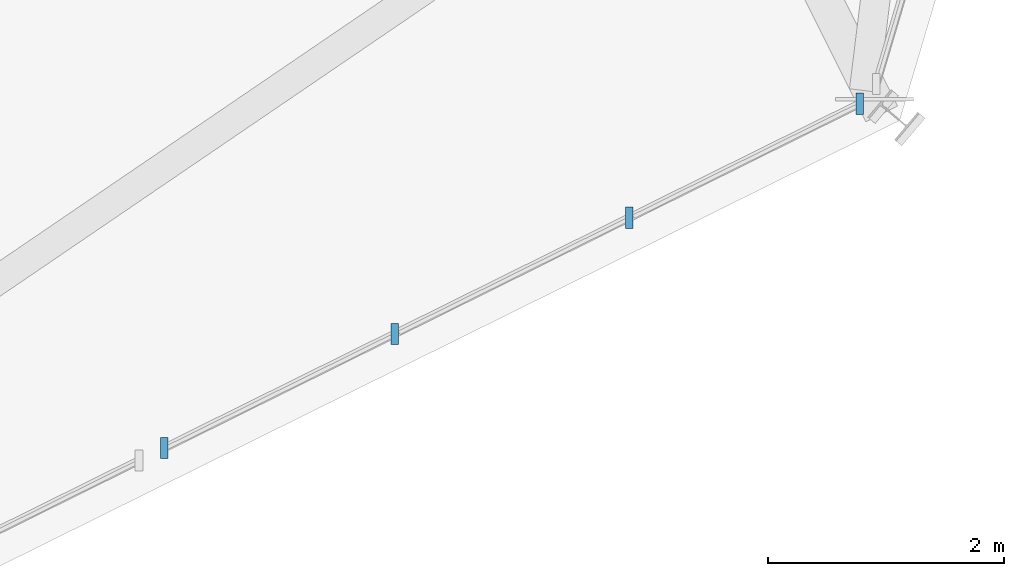
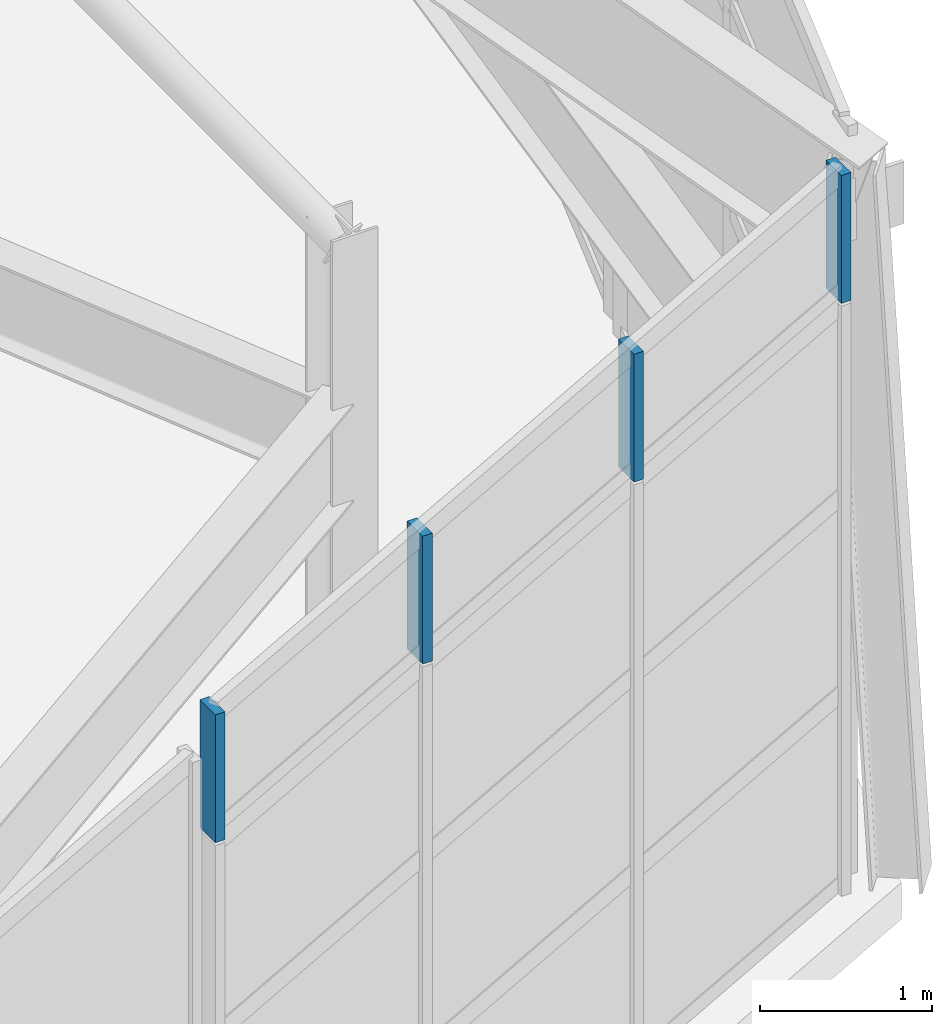
# One storey, part 22 of 50: 4 members, 1 element without a shape of its own.
"""IFC4 building model written with IfcOpenShell, lengths in metres."""

from ifc_helpers import new_model, si_unit, direction, frame, origin, origin_2d, place, context, subcontext, project, spatial, rectangle, extrude, material, material_profile, profile_set, type_object, element, aggregate, save


model = new_model("IFC4")

# Units and contexts
model_context = context("Model", 3, precision=1e-05, world=origin(), true_north=direction((0.0, 1.0)))
body_context = subcontext(model_context, "Body", "Model", "MODEL_VIEW")
ifc_project = project(units=[si_unit("LENGTHUNIT", "METRE"), si_unit("AREAUNIT", "SQUARE_METRE"), si_unit("VOLUMEUNIT", "CUBIC_METRE"), si_unit("PLANEANGLEUNIT", "RADIAN"), si_unit("MASSUNIT", "GRAM", prefix="KILO")], contexts=[model_context])

# Site, building, storey
site_placement = place(None, origin())
site = spatial("IfcSite", under=ifc_project, at=site_placement, CompositionType="ELEMENT")
building_placement = place(site_placement, origin())
building = spatial("IfcBuilding", under=site, at=building_placement, Name="Sarnbrook Museum", CompositionType="ELEMENT")
storey_placement = place(building_placement, frame((0.0, 0.0, 28.10009765625)))
storey = spatial("IfcBuildingStorey", under=building, at=storey_placement, Name="L05", CompositionType="ELEMENT", Elevation=28.10009765625)

# Curtain wall, members
ifc_material = material(Name="Thermally Broken Anodised Aluminium 6063-T6", Category="aluminium")
curtain_wall_type = type_object("IfcCurtainWallType", Name="CurtainWall_Sawtooth", PredefinedType="NOTDEFINED", material=ifc_material)
curtain_wall_placement = place(storey_placement, origin())
curtain_wall = element("IfcCurtainWall", 1, at=curtain_wall_placement, inside=storey, type_object=curtain_wall_type, Name="Crystal Roof Folded Eaves Clerestory 1", PredefinedType="NOTDEFINED")
ifc_material_profile = material_profile(ifc_material, rectangle(XDim=0.06494140625, YDim=0.179931640625, at=origin_2d()), Name="ALU MULLION 65x180")
ifc_profile_set = profile_set([ifc_material_profile], Name="Thermally Broken Anodised Aluminium 6063-T6")
member_type = type_object("IfcMemberType", Name="CW_Mullion_180x75", PredefinedType="MULLION", material=ifc_profile_set)
member_1_placement = place(storey_placement, frame((154.685546875, 68.10205078125, 4.219970703125), z_axis=(0.0, 0.0, 1.0), x_axis=(1.0, 0.0, 0.0)))
member_1 = element("IfcMember", 2, at=member_1_placement, type_object=member_type, Name="Crystal Roof Folded Eaves Clerestory 1 Mullion 1", PredefinedType="MULLION", context=body_context, shape_type="SweptSolid", body=[
    extrude(rectangle(XDim=0.06494140625, YDim=0.179931640625, at=origin_2d()), origin(), (0.0, 0.0, 1.0), 0.909912109375),
])
member_2_placement = place(storey_placement, frame((156.640869140625, 69.0703125, 4.219970703125), z_axis=(0.0, 0.0, 1.0), x_axis=(1.0, 0.0, 0.0)))
member_2 = element("IfcMember", 3, at=member_2_placement, type_object=member_type, Name="Crystal Roof Folded Eaves Clerestory 1 Mullion 2", PredefinedType="MULLION", context=body_context, shape_type="SweptSolid", body=[
    extrude(rectangle(XDim=0.06494140625, YDim=0.179931640625, at=origin_2d()), origin(), (0.0, 0.0, 1.0), 0.909912109375),
])
member_3_placement = place(storey_placement, frame((158.632080078125, 70.05615234375, 4.219970703125), z_axis=(0.0, 0.0, 1.0), x_axis=(1.0, 0.0, 0.0)))
member_3 = element("IfcMember", 4, at=member_3_placement, type_object=member_type, Name="Crystal Roof Folded Eaves Clerestory 1 Mullion 3", PredefinedType="MULLION", context=body_context, shape_type="SweptSolid", body=[
    extrude(rectangle(XDim=0.06494140625, YDim=0.179931640625, at=origin_2d()), origin(), (0.0, 0.0, 1.0), 0.909912109375),
])
member_4_placement = place(storey_placement, frame((160.58740234375, 71.0244140625, 4.219970703125), z_axis=(0.0, 0.0, 1.0), x_axis=(1.0, 0.0, 0.0)))
member_4 = element("IfcMember", 5, at=member_4_placement, type_object=member_type, Name="Crystal Roof Folded Eaves Clerestory 1 Mullion 4", PredefinedType="MULLION", context=body_context, shape_type="SweptSolid", body=[
    extrude(rectangle(XDim=0.06494140625, YDim=0.179931640625, at=origin_2d()), origin(), (0.0, 0.0, 1.0), 0.909912109375),
])
aggregate(curtain_wall, [member_1, member_2, member_3, member_4])

save(model, "model.ifc")
